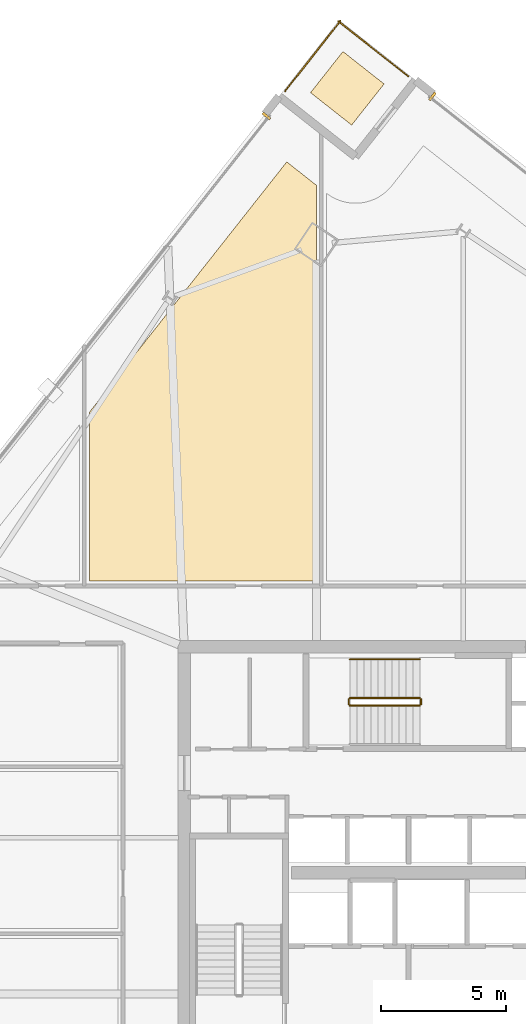
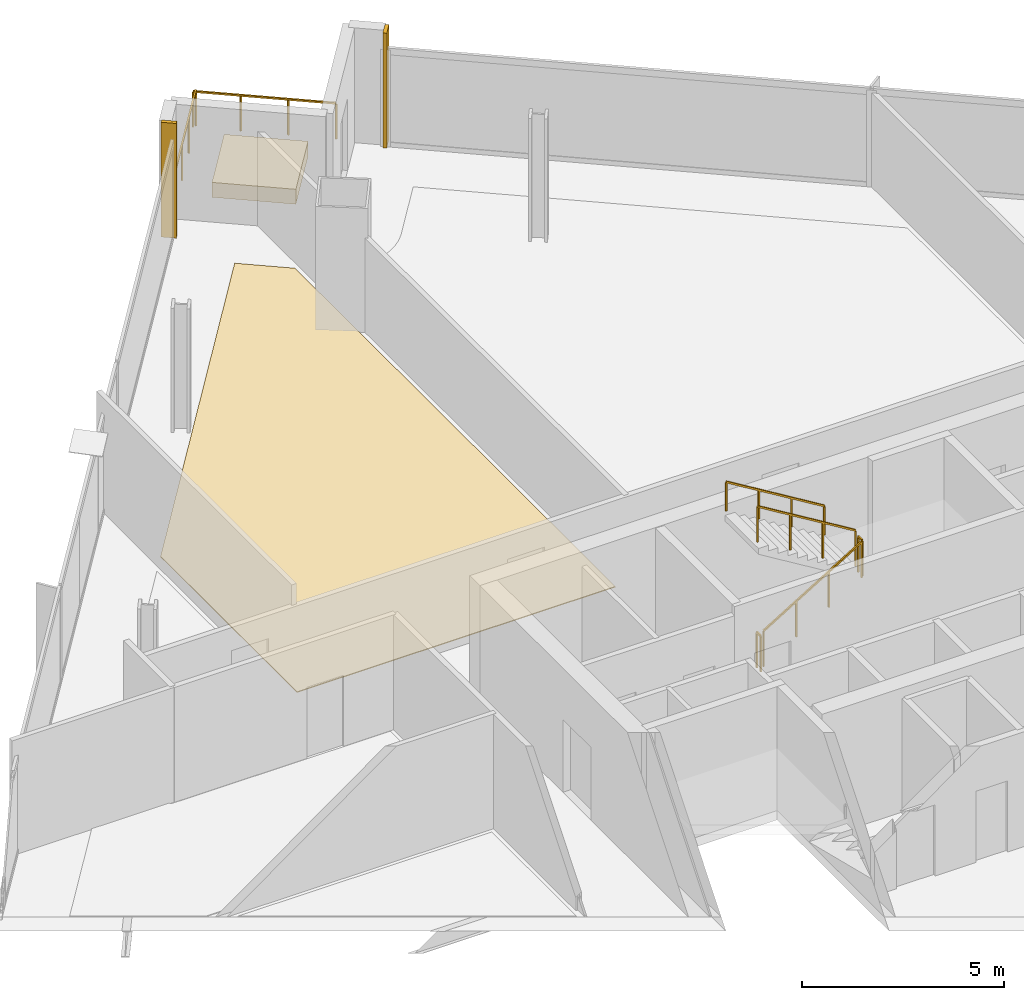
# One storey, part 27 of 28: 7 railings, 4 coverings.
"""IFC4 building model written with IfcOpenShell, lengths in metres."""

import ifcopenshell
import ifcopenshell.guid

model = None  # the IFC model being written
_history = None  # IfcOwnerHistory: only IFC2X3 demands one
_inside = {}  # id of a spatial element -> (the spatial element, [elements in it])
_under = {}  # id of a project, library or spatial element -> (it, [spatial elements below it])
_declared = {}  # id of a project -> (the project, [libraries it declares])
_typed = {}  # id of a type object -> (the type object, [elements of that type])
_made_of = {}  # id of a material, layer set ... -> (it, [elements and type objects made of it])


def new_model(schema):
    """Start an empty IFC model of exactly this schema.

    Asked for "IFC4X3", IfcOpenShell would pick the latest addendum, in which some entities
    have other attributes; the version numbers below select the first issue.
    IFC2X3 requires an IfcOwnerHistory on every rooted entity: one is made here for all.
    """
    global model, _history
    if schema == "IFC4X3":
        model = ifcopenshell.file(schema_version=(4, 3, 0, 0))
    else:
        model = ifcopenshell.file(schema=schema)
    _inside.clear()
    _under.clear()
    _declared.clear()
    _typed.clear()
    _made_of.clear()
    _history = None
    if model.schema == "IFC2X3":
        org = make("IfcOrganization", Name="unknown")
        user = make(
            "IfcPersonAndOrganization",
            ThePerson=make("IfcPerson", FamilyName="unknown"),
            TheOrganization=org,
        )
        app = make(
            "IfcApplication",
            ApplicationDeveloper=org,
            Version="unknown",
            ApplicationFullName="unknown",
            ApplicationIdentifier="unknown",
        )
        _history = make(
            "IfcOwnerHistory",
            OwningUser=user,
            OwningApplication=app,
            ChangeAction="ADDED",
            CreationDate=0,
        )
    return model


def make(cls, **values):
    """One entity of the class cls with the attributes given. An attribute that is None is left unset."""
    return model.create_entity(
        cls, **{name: value for name, value in values.items() if value is not None}
    )


def rooted(cls, **values):
    """An entity with a GlobalId (a new one), such as an element, a storey or a relation."""
    return make(cls, GlobalId=ifcopenshell.guid.new(), OwnerHistory=_history, **values)


def si_unit(unit_type, name, prefix=None):
    """IfcSIUnit, for example si_unit("LENGTHUNIT", "METRE", prefix="MILLI")."""
    return make("IfcSIUnit", UnitType=unit_type, Prefix=prefix, Name=name)


def assignment(units):
    """IfcUnitAssignment: the units of a project."""
    return None if units is None else make("IfcUnitAssignment", Units=units)


def point(xyz):
    """IfcCartesianPoint."""
    return None if xyz is None else make("IfcCartesianPoint", Coordinates=xyz)


def direction(xyz):
    """IfcDirection."""
    return None if xyz is None else make("IfcDirection", DirectionRatios=xyz)


def frame(location, z_axis=None, x_axis=None):
    """IfcAxis2Placement3D, a coordinate frame: its origin and axes. An axis left out is left unset."""
    return make(
        "IfcAxis2Placement3D",
        Location=point(location),
        Axis=direction(z_axis),
        RefDirection=direction(x_axis),
    )


def frame_2d(location, x_axis=None):
    """IfcAxis2Placement2D, a coordinate frame in the plane: its origin and x axis."""
    return make(
        "IfcAxis2Placement2D", Location=point(location), RefDirection=direction(x_axis)
    )


def origin():
    """The frame at (0, 0, 0) with its axes left unset."""
    return frame((0.0, 0.0, 0.0))


def origin_2d():
    """The frame at (0, 0) in the plane with its x axis left unset."""
    return frame_2d((0.0, 0.0))


def place(relative_to, where):
    """IfcLocalPlacement: puts the frame where relative to a parent placement (None: the world)."""
    return make(
        "IfcLocalPlacement", PlacementRelTo=relative_to, RelativePlacement=where
    )


def context(
    kind, dimensions, precision=None, world=None, true_north=None, identifier=None
):
    """IfcGeometricRepresentationContext, for example the 3D "Model" context."""
    return make(
        "IfcGeometricRepresentationContext",
        ContextIdentifier=identifier,
        ContextType=kind,
        CoordinateSpaceDimension=dimensions,
        Precision=precision,
        WorldCoordinateSystem=world,
        TrueNorth=true_north,
    )


def subcontext(parent, identifier, kind, view, scale=None):
    """IfcGeometricRepresentationSubContext, for example "Body" below "Model"."""
    return make(
        "IfcGeometricRepresentationSubContext",
        ContextIdentifier=identifier,
        ContextType=kind,
        ParentContext=parent,
        TargetScale=scale,
        TargetView=view,
    )


def project(units=None, contexts=None):
    """IfcProject with its units and contexts."""
    return rooted(
        "IfcProject",
        Name="project",
        RepresentationContexts=contexts,
        UnitsInContext=assignment(units),
    )


def spatial(cls, under=None, at=None, **own):
    """A site, building, storey or space (cls), placed at a placement, below another one or the project."""
    s = rooted(cls, ObjectPlacement=at, **own)
    if under is not None:
        _under.setdefault(under.id(), (under, []))[1].append(s)
    return s


def polyline(points):
    """IfcPolyline through the points."""
    return make("IfcPolyline", Points=[point(p) for p in points])


def profile(cls, at=None, kind="AREA", **sizes):
    """A parametric profile (cls). Its sizes go by their IFC names, for example OverallWidth=200.0."""
    return make(cls, ProfileType=kind, Position=at, **sizes)


def rectangle(**sizes):
    """IfcRectangleProfileDef."""
    return profile("IfcRectangleProfileDef", **sizes)


def outline(outer, holes=None, kind="AREA"):
    """IfcArbitraryClosedProfileDef: a profile drawn as a closed curve; with holes, ...WithVoids."""
    if holes is None:
        return make("IfcArbitraryClosedProfileDef", ProfileType=kind, OuterCurve=outer)
    return make(
        "IfcArbitraryProfileDefWithVoids",
        ProfileType=kind,
        OuterCurve=outer,
        InnerCurves=holes,
    )


def extrude(swept, where, along, depth):
    """IfcExtrudedAreaSolid: the profile swept, set in the frame where, extruded along a direction by depth."""
    return make(
        "IfcExtrudedAreaSolid",
        SweptArea=swept,
        Position=where,
        ExtrudedDirection=direction(along),
        Depth=depth,
    )


def shape(context_of_items, identifier, shape_type, items):
    """IfcShapeRepresentation: the items that make up one representation, for example the "Body"."""
    return make(
        "IfcShapeRepresentation",
        ContextOfItems=context_of_items,
        RepresentationIdentifier=identifier,
        RepresentationType=shape_type,
        Items=items,
    )


def source(mapping_origin, context_of_items, identifier, shape_type, items):
    """IfcRepresentationMap: a shape defined once, which mapped items show again and again."""
    return make(
        "IfcRepresentationMap",
        MappingOrigin=mapping_origin,
        MappedRepresentation=shape(context_of_items, identifier, shape_type, items),
    )


def transform(
    local_origin,
    x_axis=None,
    y_axis=None,
    z_axis=None,
    scale=None,
    scale2=None,
    scale3=None,
    uniform=True,
):
    """IfcCartesianTransformationOperator3D, or its non-uniform kind. x_axis, y_axis, z_axis: its Axis1, 2, 3."""
    if uniform:
        return make(
            "IfcCartesianTransformationOperator3D",
            Axis1=direction(x_axis),
            Axis2=direction(y_axis),
            LocalOrigin=point(local_origin),
            Scale=scale,
            Axis3=direction(z_axis),
        )
    return make(
        "IfcCartesianTransformationOperator3DnonUniform",
        Axis1=direction(x_axis),
        Axis2=direction(y_axis),
        LocalOrigin=point(local_origin),
        Scale=scale,
        Axis3=direction(z_axis),
        Scale2=scale2,
        Scale3=scale3,
    )


def mapped(mapping_source, mapping_target):
    """IfcMappedItem: shows the shape of a source again, moved by a transform."""
    return make(
        "IfcMappedItem", MappingSource=mapping_source, MappingTarget=mapping_target
    )


def material(Name=None, Category=None):
    """IfcMaterial."""
    return make("IfcMaterial", Name=Name, Category=Category)


def layer(
    of_material, thickness, ventilated=None, Name=None, Category=None, Priority=None
):
    """IfcMaterialLayer: one layer of a wall or slab, of a material (None: an air gap)."""
    return make(
        "IfcMaterialLayer",
        Material=of_material,
        LayerThickness=thickness,
        IsVentilated=ventilated,
        Name=Name,
        Category=Category,
        Priority=Priority,
    )


def layer_set(layers, Name=None):
    """IfcMaterialLayerSet."""
    return make("IfcMaterialLayerSet", MaterialLayers=layers, LayerSetName=Name)


def made_of(thing, what):
    """Note that an element or type object is made of a material, layer set ...; save() writes the relation."""
    if what is not None:
        _made_of.setdefault(what.id(), (what, []))[1].append(thing)
    return thing


def type_object(cls, material=None, **own):
    """A type object (cls), such as IfcWallType, which elements share."""
    return made_of(rooted(cls, **own), material)


def element(
    cls,
    number,
    at=None,
    inside=None,
    cuts=None,
    type_object=None,
    material=None,
    context=None,
    identifier="Body",
    shape_type=None,
    held_by="IfcProductDefinitionShape",
    body=None,
    shapes=None,
    **own,
):
    """One element of the class cls, such as IfcWall. Its Tag is "e" and its number.

    at: its placement. inside: the storey or other place that contains it. cuts: it is an
    opening in that element (IfcRelVoidsElement). A single representation is given by context,
    identifier, shape_type and body (its items); several are given by shapes. held_by: the class
    of the entity that holds the representations. save() writes the other relations.
    """
    e = rooted(cls, Tag="e%d" % number, ObjectPlacement=at, **own)
    if body is not None:
        shapes = [shape(context, identifier, shape_type, body)]
    if shapes is not None:
        e.Representation = make(held_by, Representations=shapes)
    if inside is not None:
        _inside.setdefault(inside.id(), (inside, []))[1].append(e)
    if cuts is not None:
        rooted(
            "IfcRelVoidsElement", RelatingBuildingElement=cuts, RelatedOpeningElement=e
        )
    if type_object is not None:
        _typed.setdefault(type_object.id(), (type_object, []))[1].append(e)
    return made_of(e, material)


def aggregate(whole, parts):
    """IfcRelAggregates: a whole, such as a stair, and the parts it consists of."""
    return rooted("IfcRelAggregates", RelatingObject=whole, RelatedObjects=parts)


def save(model, path):
    """Write the relations noted so far, then the file.

    IfcRelAggregates (storeys below a building ...), IfcRelContainedInSpatialStructure (elements
    in a storey), IfcRelDefinesByType, IfcRelAssociatesMaterial and IfcRelDeclares: one each for
    every whole, place, type object, material and project.
    """
    for whole, parts in _under.values():
        aggregate(whole, parts)
    for where, things in _inside.values():
        rooted(
            "IfcRelContainedInSpatialStructure",
            RelatedElements=things,
            RelatingStructure=where,
        )
    for kind, things in _typed.values():
        rooted("IfcRelDefinesByType", RelatedObjects=things, RelatingType=kind)
    for what, things in _made_of.values():
        rooted("IfcRelAssociatesMaterial", RelatedObjects=things, RelatingMaterial=what)
    for by, libraries in _declared.values():
        rooted("IfcRelDeclares", RelatingContext=by, RelatedDefinitions=libraries)
    model.write(path)


model = new_model("IFC4")

# Units and contexts
model_context = context("Model", 3, precision=1e-05, world=origin(), true_north=direction((0.0, 1.0)))
body_context = subcontext(model_context, "Body", "Model", "MODEL_VIEW")
ifc_project = project(units=[si_unit("LENGTHUNIT", "METRE"), si_unit("AREAUNIT", "SQUARE_METRE"), si_unit("VOLUMEUNIT", "CUBIC_METRE"), si_unit("PLANEANGLEUNIT", "RADIAN"), si_unit("MASSUNIT", "GRAM", prefix="KILO")], contexts=[model_context])

# Site, building, storey
site_placement = place(None, origin())
site = spatial("IfcSite", under=ifc_project, at=site_placement, CompositionType="ELEMENT")
building_placement = place(site_placement, origin())
building = spatial("IfcBuilding", under=site, at=building_placement, Name="Haldenkirk Collegiate Tower", CompositionType="ELEMENT")
storey_placement = place(building_placement, frame((0.0, 0.0, 202.199951171875)))
storey = spatial("IfcBuildingStorey", under=building, at=storey_placement, Name="L50", CompositionType="ELEMENT", Elevation=202.199951171875)

# Coverings
ifc_material_1 = material(Name="Polished collegiate terrazzo", Category="concrete")
ifc_layer_1 = layer(ifc_material_1, 0.02490234375)
ifc_layer_set_1 = layer_set([ifc_layer_1], Name="Polished collegiate terrazzo")
covering_type_1 = type_object("IfcCoveringType", Name="COV-FLOOR-TERRAZZO", PredefinedType="FLOORING", material=ifc_layer_set_1)
covering_1_placement = place(storey_placement, origin())
element("IfcCovering", 1, at=covering_1_placement, inside=storey, type_object=covering_type_1, Name="L50 academic room finish 04", PredefinedType="FLOORING", context=body_context, shape_type="SweptSolid", body=[
    extrude(outline(polyline([(32.300048828125, 52.512451171875), (32.300048828125, 36.64990234375), (23.199951171875, 36.64990234375), (23.199951171875, 43.4091796875), (31.113525390625, 53.44775390625), (32.300048828125, 52.512451171875)])), origin(), (0.0, 0.0, 1.0), 0.025146484375),
])
ifc_material_2 = material(Name="Precast concrete f'c 40 MPa", Category="concrete")
ifc_layer_2 = layer(ifc_material_2, 0.449951171875)
ifc_layer_set_2 = layer_set([ifc_layer_2], Name="Precast concrete f'c 40 MPa")
covering_type_2 = type_object("IfcCoveringType", Name="COV-PLANTER-450", PredefinedType="USERDEFINED", material=ifc_layer_set_2)
covering_2_placement = place(storey_placement, origin())
element("IfcCovering", 2, at=covering_2_placement, inside=storey, type_object=covering_type_2, Name="L50 planted garden planter bed", ObjectType="PLANTER", PredefinedType="USERDEFINED", context=body_context, shape_type="SweptSolid", body=[
    extrude(outline(polyline([(33.716064453125, 54.92333984375), (32.06689453125, 56.223388671875), (33.366943359375, 57.87255859375), (35.01611328125, 56.572509765625), (33.716064453125, 54.92333984375)])), origin(), (0.0, 0.0, 1.0), 0.449951171875),
])

# Railings
ifc_material_3 = material(Name="Painted architectural tubular steel", Category="steel")
railing_type_1 = type_object("IfcRailingType", Name="RLG-STAIR-GUARD-1100", PredefinedType="BALUSTRADE", material=ifc_material_3)
railing_1_placement = place(storey_placement, frame((33.64990234375, 31.64990234375, 0.17041015625)))
element("IfcRailing", 3, at=railing_1_placement, inside=storey, type_object=railing_type_1, Name="L50 ST-3 stair guard 1", PredefinedType="BALUSTRADE", context=body_context, shape_type="SweptSolid", body=[
    extrude(rectangle(XDim=0.048095703125, YDim=0.048095703125, at=origin_2d()), frame((0.0, 0.0, 1.076171875), z_axis=(0.854169791009, 0.0, 0.51999420009), x_axis=(0.0, 1.0, 0.0)), (0.0, 0.0, 1.0), 3.278076171875),
    extrude(rectangle(XDim=0.0419921875, YDim=0.0419921875, at=origin_2d()), origin(), (0.0, 0.0, 1.0), 1.052001953125),
    extrude(rectangle(XDim=0.0419921875, YDim=0.0419921875, at=origin_2d()), frame((0.933349609375, 0.0, 0.568115234375)), (0.0, 0.0, 1.0), 1.052001953125),
    extrude(rectangle(XDim=0.0419921875, YDim=0.0419921875, at=origin_2d()), frame((1.86669921875, 0.0, 1.136474609375)), (0.0, 0.0, 1.0), 1.052001953125),
    extrude(rectangle(XDim=0.0419921875, YDim=0.0419921875, at=origin_2d()), frame((2.800048828125, 0.0, 1.70458984375)), (0.0, 0.0, 1.0), 1.052001953125),
])
railing_2_placement = place(storey_placement, frame((36.5, 31.699951171875, 1.875)))
element("IfcRailing", 4, at=railing_2_placement, inside=storey, type_object=railing_type_1, Name="L50 ST-3 stair guard 2", PredefinedType="BALUSTRADE", context=body_context, shape_type="SweptSolid", body=[
    extrude(rectangle(XDim=0.048095703125, YDim=0.048095703125, at=origin_2d()), frame((0.0, 0.0, 1.076171875), z_axis=(0.0, 1.0, 0.0), x_axis=(-1.0, 0.0, 0.0)), (0.0, 0.0, 1.0), 0.199951171875),
    extrude(rectangle(XDim=0.0419921875, YDim=0.0419921875, at=origin_2d()), origin(), (0.0, 0.0, 1.0), 1.052001953125),
    extrude(rectangle(XDim=0.0419921875, YDim=0.0419921875, at=origin_2d()), frame((0.0, 0.199951171875, 0.0)), (0.0, 0.0, 1.0), 1.052001953125),
])
railing_3_placement = place(storey_placement, frame((36.449951171875, 31.949951171875, 2.04541015625)))
element("IfcRailing", 5, at=railing_3_placement, inside=storey, type_object=railing_type_1, Name="L50 ST-3 stair guard 3", PredefinedType="BALUSTRADE", context=body_context, shape_type="SweptSolid", body=[
    extrude(rectangle(XDim=0.048095703125, YDim=0.048095703125, at=origin_2d()), frame((0.0, 0.0, 1.076171875), z_axis=(-0.854169791009, 0.0, 0.51999420009), x_axis=(0.0, -1.0, 0.0)), (0.0, 0.0, 1.0), 3.278076171875),
    extrude(rectangle(XDim=0.0419921875, YDim=0.0419921875, at=origin_2d()), origin(), (0.0, 0.0, 1.0), 1.052001953125),
    extrude(rectangle(XDim=0.0419921875, YDim=0.0419921875, at=origin_2d()), frame((-0.933349609375, 0.0, 0.568115234375)), (0.0, 0.0, 1.0), 1.052001953125),
    extrude(rectangle(XDim=0.0419921875, YDim=0.0419921875, at=origin_2d()), frame((-1.86669921875, 0.0, 1.136474609375)), (0.0, 0.0, 1.0), 1.052001953125),
    extrude(rectangle(XDim=0.0419921875, YDim=0.0419921875, at=origin_2d()), frame((-2.800048828125, 0.0, 1.70458984375)), (0.0, 0.0, 1.0), 1.052001953125),
])
railing_4_placement = place(storey_placement, frame((33.60009765625, 31.699951171875, 0.0)))
element("IfcRailing", 6, at=railing_4_placement, inside=storey, type_object=railing_type_1, Name="L50 ST-3 stair guard 4", PredefinedType="BALUSTRADE", context=body_context, shape_type="SweptSolid", body=[
    extrude(rectangle(XDim=0.048095703125, YDim=0.048095703125, at=origin_2d()), frame((0.0, 0.0, 1.076171875), z_axis=(0.0, 1.0, 0.0), x_axis=(-1.0, 0.0, 0.0)), (0.0, 0.0, 1.0), 0.199951171875),
    extrude(rectangle(XDim=0.0419921875, YDim=0.0419921875, at=origin_2d()), origin(), (0.0, 0.0, 1.0), 1.052001953125),
    extrude(rectangle(XDim=0.0419921875, YDim=0.0419921875, at=origin_2d()), frame((0.0, 0.199951171875, 0.0)), (0.0, 0.0, 1.0), 1.052001953125),
])
railing_type_2 = type_object("IfcRailingType", Name="RLG-STAIR-HANDRAIL-900", PredefinedType="HANDRAIL", material=ifc_material_3)
railing_5_placement = place(storey_placement, frame((36.449951171875, 33.5, 2.04541015625)))
element("IfcRailing", 7, at=railing_5_placement, inside=storey, type_object=railing_type_2, Name="L50 ST-3 stair handrail 2", PredefinedType="HANDRAIL", context=body_context, shape_type="SweptSolid", body=[
    extrude(rectangle(XDim=0.048095703125, YDim=0.048095703125, at=origin_2d()), frame((0.0, 0.0, 0.8759765625), z_axis=(-0.854169791009, 0.0, 0.51999420009), x_axis=(0.0, -1.0, 0.0)), (0.0, 0.0, 1.0), 3.278076171875),
    extrude(rectangle(XDim=0.0419921875, YDim=0.0419921875, at=origin_2d()), origin(), (0.0, 0.0, 1.0), 0.851806640625),
    extrude(rectangle(XDim=0.0419921875, YDim=0.0419921875, at=origin_2d()), frame((-0.933349609375, 0.0, 0.568115234375)), (0.0, 0.0, 1.0), 0.851806640625),
    extrude(rectangle(XDim=0.0419921875, YDim=0.0419921875, at=origin_2d()), frame((-1.86669921875, 0.0, 1.136474609375)), (0.0, 0.0, 1.0), 0.851806640625),
    extrude(rectangle(XDim=0.0419921875, YDim=0.0419921875, at=origin_2d()), frame((-2.800048828125, 0.0, 1.70458984375)), (0.0, 0.0, 1.0), 0.851806640625),
])
ifc_material_4 = material(Name="Anodised architectural bronze aluminium", Category="aluminium")
railing_type_3 = type_object("IfcRailingType", Name="RLG-TERR-BALUSTRADE-1100", PredefinedType="BALUSTRADE", material=ifc_material_4)
railing_6_placement = place(storey_placement, frame((35.99169921875, 56.873291015625, 0.0)))
element("IfcRailing", 8, at=railing_6_placement, inside=storey, type_object=railing_type_3, Name="L50 terrace guard balustrade 2-1", PredefinedType="BALUSTRADE", context=body_context, shape_type="SweptSolid", body=[
    extrude(rectangle(XDim=0.048095703125, YDim=0.048095703125, at=origin_2d()), frame((0.0, 0.0, 1.076171875), z_axis=(-0.785332924121, 0.619073661442, 0.0), x_axis=(-0.619073661442, -0.785332924121, 0.0)), (0.0, 0.0, 1.0), 3.580078125),
    extrude(rectangle(XDim=0.0419921875, YDim=0.0419921875, at=origin_2d()), origin(), (0.0, 0.0, 1.0), 1.052001953125),
    extrude(rectangle(XDim=0.0419921875, YDim=0.0419921875, at=origin_2d()), frame((-0.937255859375, 0.73876953125, 0.0)), (0.0, 0.0, 1.0), 1.052001953125),
    extrude(rectangle(XDim=0.0419921875, YDim=0.0419921875, at=origin_2d()), frame((-1.874267578125, 1.4775390625, 0.0)), (0.0, 0.0, 1.0), 1.052001953125),
    extrude(rectangle(XDim=0.0419921875, YDim=0.0419921875, at=origin_2d()), frame((-2.8115234375, 2.21630859375, 0.0)), (0.0, 0.0, 1.0), 1.052001953125),
])
railing_7_placement = place(storey_placement, frame((33.264404296875, 59.099609375, 0.0)))
element("IfcRailing", 9, at=railing_7_placement, inside=storey, type_object=railing_type_3, Name="L50 terrace guard balustrade 3-1", PredefinedType="BALUSTRADE", context=body_context, shape_type="SweptSolid", body=[
    extrude(rectangle(XDim=0.048095703125, YDim=0.048095703125, at=origin_2d()), frame((0.0, 0.0, 1.076171875), z_axis=(-0.619073661442, -0.785332924121, 0.0), x_axis=(0.785332924121, -0.619073661442, 0.0)), (0.0, 0.0, 1.0), 3.580078125),
    extrude(rectangle(XDim=0.0419921875, YDim=0.0419921875, at=origin_2d()), origin(), (0.0, 0.0, 1.0), 1.052001953125),
    extrude(rectangle(XDim=0.0419921875, YDim=0.0419921875, at=origin_2d()), frame((-0.73876953125, -0.937255859375, 0.0)), (0.0, 0.0, 1.0), 1.052001953125),
    extrude(rectangle(XDim=0.0419921875, YDim=0.0419921875, at=origin_2d()), frame((-1.4775390625, -1.874267578125, 0.0)), (0.0, 0.0, 1.0), 1.052001953125),
    extrude(rectangle(XDim=0.0419921875, YDim=0.0419921875, at=origin_2d()), frame((-2.21630859375, -2.8115234375, 0.0)), (0.0, 0.0, 1.0), 1.052001953125),
])

# Coverings
ifc_layer_3 = layer(ifc_material_4, 0.06005859375)
ifc_layer_set_3 = layer_set([ifc_layer_3], Name="Anodised architectural bronze aluminium")
covering_type_3 = type_object("IfcCoveringType", Name="COV-CLAD-BRONZE-60", PredefinedType="CLADDING", material=ifc_layer_set_3)
shared_shape = source(origin(), body_context, "Body", "SweptSolid", [
    extrude(rectangle(XDim=0.10009765625, YDim=0.3798828125, at=origin_2d()), origin(), (0.0, 0.0, 1.0), 3.469970703125),
])
for number, where, z_axis, x_axis, name in (
    (10, (36.95458984375, 56.07568359375, 0.0), (0.0, 0.0, 1.0), (0.785316930881, -0.61909394931, 0.0), "L50 recessed curtain-wall bronze jamb closure EJL"),
    (11, (30.297607421875, 55.287841796875, 0.0), (0.0, 0.0, 1.0), (0.61909394931, 0.785316930881, 0.0), "L50 recessed curtain-wall bronze jamb closure NJR"),
):
    element("IfcCovering", number, at=place(storey_placement, frame(where, z_axis=z_axis, x_axis=x_axis)), inside=storey, type_object=covering_type_3, Name=name, PredefinedType="CLADDING", context=body_context, shape_type="MappedRepresentation", body=[
        mapped(shared_shape, transform((0.0, 0.0, 0.0), x_axis=(1.0, 0.0, 0.0), y_axis=(0.0, 1.0, 0.0), z_axis=(0.0, 0.0, 1.0), scale=1.0)),
    ])

save(model, "model.ifc")
